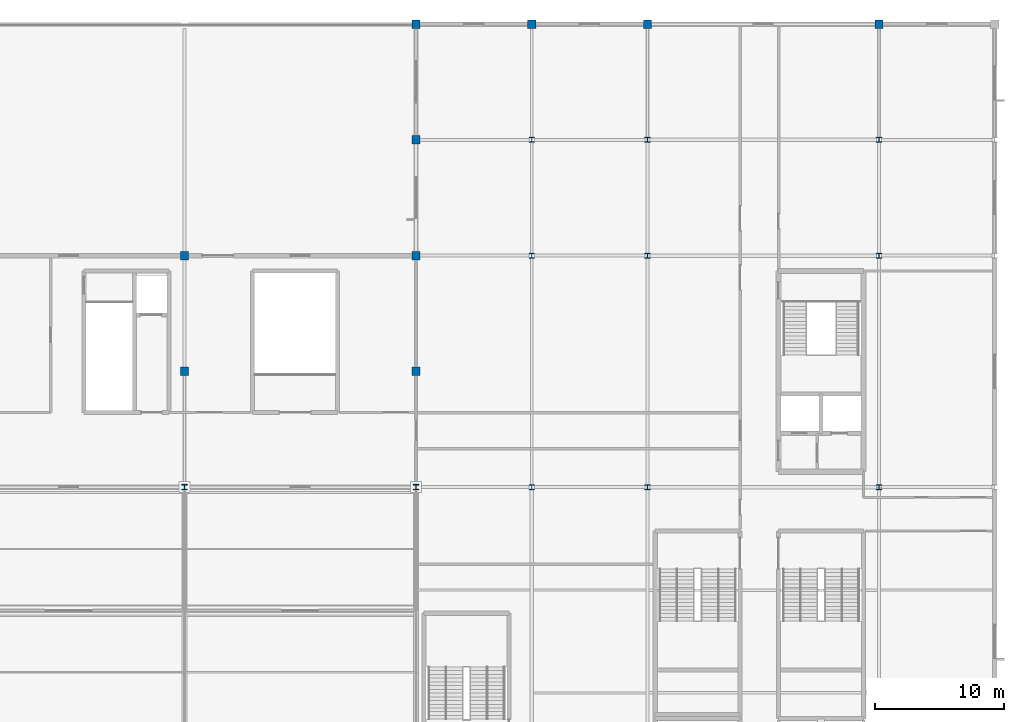
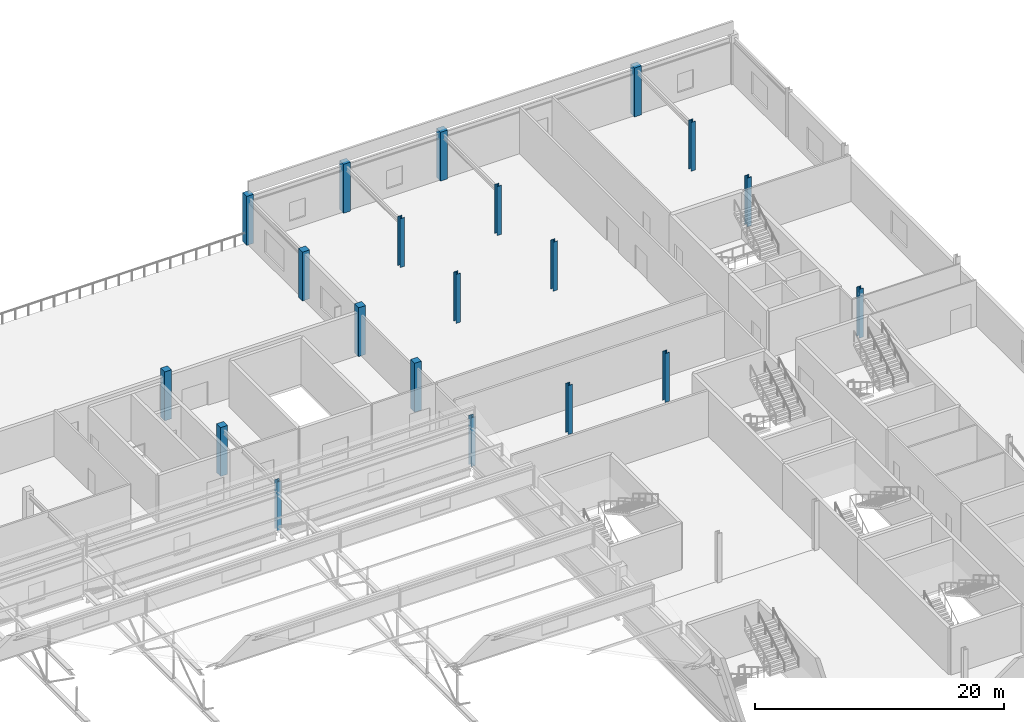
# One storey, part 10 of 136: 20 columns.
"""IFC4 building model written with IfcOpenShell, lengths in metres."""

from ifc_helpers import new_model, si_unit, direction, frame, origin, origin_2d, place, context, subcontext, project, spatial, rectangle, i_section, extrude, material, material_profile, profile_set, type_object, element, save


model = new_model("IFC4")

# Units and contexts
model_context = context("Model", 3, precision=1e-05, world=origin(), true_north=direction((0.0, 1.0)))
body_context = subcontext(model_context, "Body", "Model", "MODEL_VIEW")
ifc_project = project(units=[si_unit("LENGTHUNIT", "METRE"), si_unit("AREAUNIT", "SQUARE_METRE"), si_unit("VOLUMEUNIT", "CUBIC_METRE"), si_unit("PLANEANGLEUNIT", "RADIAN"), si_unit("MASSUNIT", "GRAM", prefix="KILO")], contexts=[model_context])

# Site, building, storey
site_placement = place(None, origin())
site = spatial("IfcSite", under=ifc_project, at=site_placement, CompositionType="ELEMENT")
building_placement = place(site_placement, origin())
building = spatial("IfcBuilding", under=site, at=building_placement, Name="Kisiwana Market Hall", CompositionType="ELEMENT")
storey_placement = place(building_placement, frame((0.0, 0.0, 16.800048828125)))
storey = spatial("IfcBuildingStorey", under=building, at=storey_placement, Name="L03", CompositionType="ELEMENT", Elevation=16.800048828125)

# Columns
ifc_material_1 = material(Name="Concrete C40/50", Category="concrete")
ifc_material_profile_1 = material_profile(ifc_material_1, rectangle(XDim=0.64990234375, YDim=0.64990234375, at=origin_2d()), Name="RC 650x650")
ifc_profile_set_1 = profile_set([ifc_material_profile_1], Name="Concrete C40/50")
column_type_1 = type_object("IfcColumnType", Name="COL-RC-POD-650", PredefinedType="COLUMN", material=ifc_profile_set_1)
for number, where, z_axis, x_axis, name in (
    (1, (135.0, 93.0, 0.0), (0.0, 0.0, 1.0), (1.0, 0.0, 0.0), "Column M/16 (L03) C-0737"),
    (2, (135.0, 102.0, 0.0), (0.0, 0.0, 1.0), (1.0, 0.0, 0.0), "Column N/16 (L03) C-0738"),
    (3, (153.0, 93.0, 0.0), (0.0, 0.0, 1.0), (1.0, 0.0, 0.0), "Column M/18 (L03) C-0746"),
    (4, (153.0, 102.0, 0.0), (0.0, 0.0, 1.0), (1.0, 0.0, 0.0), "Column N/18 (L03) C-0747"),
    (5, (153.0, 111.0, 0.0), (0.0, 0.0, 1.0), (1.0, 0.0, 0.0), "Column P/18 (L03) C-0748"),
    (6, (153.0, 120.0, 0.0), (0.0, 0.0, 1.0), (1.0, 0.0, 0.0), "Column Q/18 (L03) C-0749"),
    (7, (162.0, 120.0, 0.0), (0.0, 0.0, 1.0), (1.0, 0.0, 0.0), "Column Q/19 (L03) C-0757"),
    (8, (171.0, 120.0, 0.0), (0.0, 0.0, 1.0), (1.0, 0.0, 0.0), "Column Q/20 (L03) C-0766"),
    (9, (189.0, 120.0, 0.0), (0.0, 0.0, 1.0), (1.0, 0.0, 0.0), "Column Q/22 (L03) C-0774"),
):
    element("IfcColumn", number, at=place(storey_placement, frame(where, z_axis=z_axis, x_axis=x_axis)), inside=storey, type_object=column_type_1, Name=name, PredefinedType="COLUMN", context=body_context, shape_type="SweptSolid", body=[
        extrude(rectangle(XDim=0.64990234375, YDim=0.64990234375, at=origin_2d()), origin(), (0.0, 0.0, 1.0), 4.800048828125),
    ])
ifc_material_2 = material(Name="Steel S355", Category="steel")
ifc_material_profile_2 = material_profile(ifc_material_2, i_section(OverallWidth=0.406005859375, OverallDepth=0.416015625, WebThickness=0.02978515625, FlangeThickness=0.048095703125, at=origin_2d()), Name="HD 400x382")
ifc_profile_set_2 = profile_set([ifc_material_profile_2], Name="Steel S355")
column_type_2 = type_object("IfcColumnType", Name="COL-STL-HD382", PredefinedType="COLUMN", material=ifc_profile_set_2)
for number, where, z_axis, x_axis, name in (
    (10, (162.0, 84.0, 0.0), (0.0, 0.0, 1.0), (1.0, 0.0, 0.0), "Column L/19 (L03) C-0754"),
    (11, (162.0, 102.0, 0.0), (0.0, 0.0, 1.0), (1.0, 0.0, 0.0), "Column N/19 (L03) C-0755"),
    (12, (171.0, 84.0, 0.0), (0.0, 0.0, 1.0), (1.0, 0.0, 0.0), "Column L/20 (L03) C-0763"),
    (13, (171.0, 102.0, 0.0), (0.0, 0.0, 1.0), (1.0, 0.0, 0.0), "Column N/20 (L03) C-0764"),
    (14, (189.0, 84.0, 0.0), (0.0, 0.0, 1.0), (1.0, 0.0, 0.0), "Column L/22 (L03) C-0771"),
    (15, (189.0, 102.0, 0.0), (0.0, 0.0, 1.0), (1.0, 0.0, 0.0), "Column N/22 (L03) C-0772"),
):
    element("IfcColumn", number, at=place(storey_placement, frame(where, z_axis=z_axis, x_axis=x_axis)), inside=storey, type_object=column_type_2, Name=name, PredefinedType="COLUMN", context=body_context, shape_type="SweptSolid", body=[
        extrude(i_section(OverallWidth=0.406005859375, OverallDepth=0.416015625, WebThickness=0.02978515625, FlangeThickness=0.048095703125, at=origin_2d()), origin(), (0.0, 0.0, 1.0), 4.800048828125),
    ])
ifc_material_3 = material(Name="Steel S355", Category="steel")
ifc_material_profile_3 = material_profile(ifc_material_3, i_section(OverallWidth=0.412109375, OverallDepth=0.43505859375, WebThickness=0.035888671875, FlangeThickness=0.05810546875, at=origin_2d()), Name="HD 400x463")
ifc_profile_set_3 = profile_set([ifc_material_profile_3], Name="Steel S355")
column_type_3 = type_object("IfcColumnType", Name="COL-STL-HD463", PredefinedType="COLUMN", material=ifc_profile_set_3)
for number, where, z_axis, x_axis, name in (
    (16, (135.0, 84.0, 0.0), (0.0, 0.0, 1.0), (1.0, 0.0, 0.0), "Column L/16 (L03) C-0736"),
    (17, (153.0, 84.0, 0.0), (0.0, 0.0, 1.0), (1.0, 0.0, 0.0), "Column L/18 (L03) C-0745"),
):
    element("IfcColumn", number, at=place(storey_placement, frame(where, z_axis=z_axis, x_axis=x_axis)), inside=storey, type_object=column_type_3, Name=name, PredefinedType="COLUMN", context=body_context, shape_type="SweptSolid", body=[
        extrude(i_section(OverallWidth=0.412109375, OverallDepth=0.43505859375, WebThickness=0.035888671875, FlangeThickness=0.05810546875, at=origin_2d()), origin(), (0.0, 0.0, 1.0), 4.800048828125),
    ])
ifc_material_4 = material(Name="Steel S355", Category="steel")
ifc_material_profile_4 = material_profile(ifc_material_4, i_section(OverallWidth=0.39892578125, OverallDepth=0.3935546875, WebThickness=0.022705078125, FlangeThickness=0.03662109375, at=origin_2d()), Name="UC 356x406x287")
ifc_profile_set_4 = profile_set([ifc_material_profile_4], Name="Steel S355")
column_type_4 = type_object("IfcColumnType", Name="COL-STL-UC287", PredefinedType="COLUMN", material=ifc_profile_set_4)
for number, where, z_axis, x_axis, name in (
    (18, (162.0, 111.0, 0.0), (0.0, 0.0, 1.0), (1.0, 0.0, 0.0), "Column P/19 (L03) C-0756"),
    (19, (171.0, 111.0, 0.0), (0.0, 0.0, 1.0), (1.0, 0.0, 0.0), "Column P/20 (L03) C-0765"),
    (20, (189.0, 111.0, 0.0), (0.0, 0.0, 1.0), (1.0, 0.0, 0.0), "Column P/22 (L03) C-0773"),
):
    element("IfcColumn", number, at=place(storey_placement, frame(where, z_axis=z_axis, x_axis=x_axis)), inside=storey, type_object=column_type_4, Name=name, PredefinedType="COLUMN", context=body_context, shape_type="SweptSolid", body=[
        extrude(i_section(OverallWidth=0.39892578125, OverallDepth=0.3935546875, WebThickness=0.022705078125, FlangeThickness=0.03662109375, at=origin_2d()), origin(), (0.0, 0.0, 1.0), 4.800048828125),
    ])

save(model, "model.ifc")
